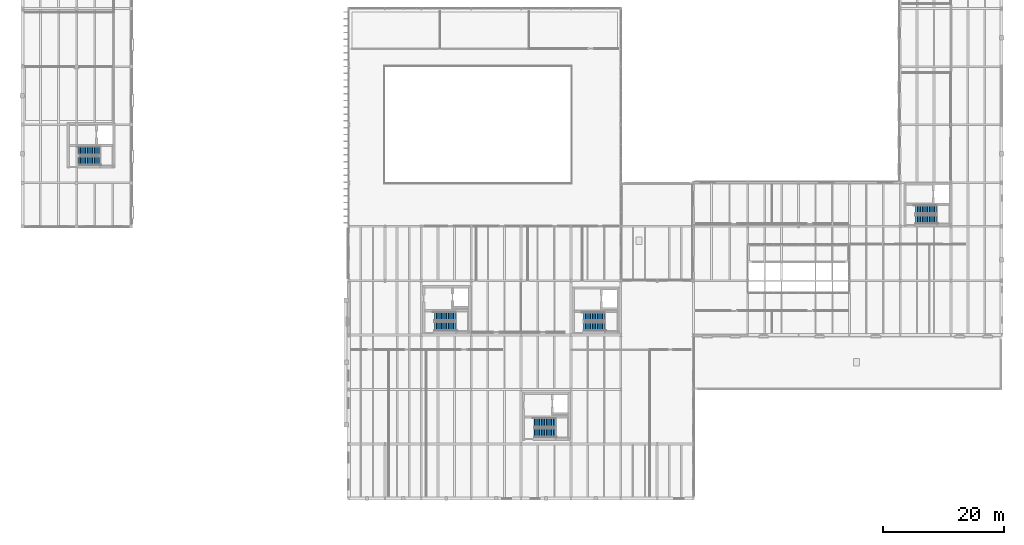
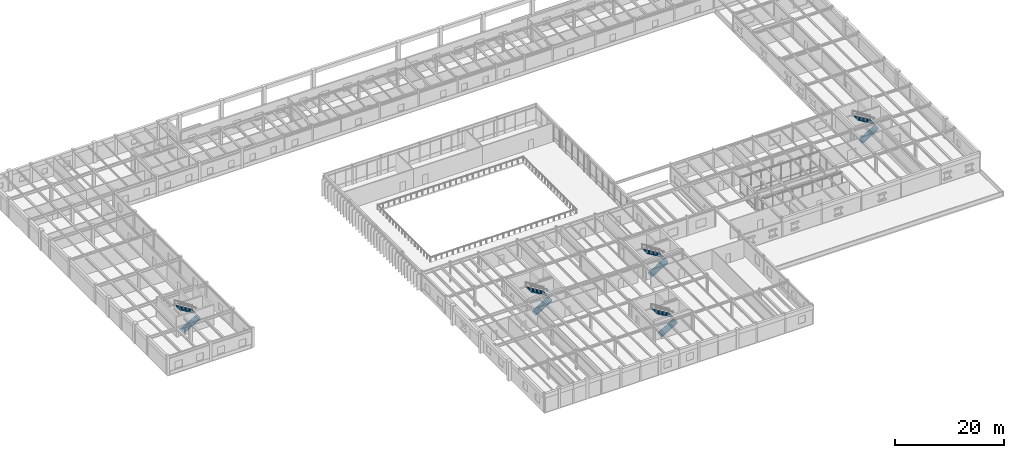
# One storey, part 54 of 64: 10 stair flights, 5 elements without a shape of their own.
"""IFC4 building model written with IfcOpenShell, lengths in metres."""

from ifc_helpers import new_model, si_unit, direction, frame, origin, place, context, subcontext, project, spatial, polyline, outline, extrude, material, type_object, element, aggregate, save


model = new_model("IFC4")

# Units and contexts
model_context = context("Model", 3, precision=1e-05, world=origin(), true_north=direction((0.0, 1.0)))
body_context = subcontext(model_context, "Body", "Model", "MODEL_VIEW")
ifc_project = project(units=[si_unit("LENGTHUNIT", "METRE"), si_unit("AREAUNIT", "SQUARE_METRE"), si_unit("VOLUMEUNIT", "CUBIC_METRE"), si_unit("PLANEANGLEUNIT", "RADIAN"), si_unit("MASSUNIT", "GRAM", prefix="KILO")], contexts=[model_context])

# Site, building, storey
site_placement = place(None, origin())
site = spatial("IfcSite", under=ifc_project, at=site_placement, CompositionType="ELEMENT")
building_placement = place(site_placement, origin())
building = spatial("IfcBuilding", under=site, at=building_placement, Name="Montealbar Specialist Clinic", CompositionType="ELEMENT")
storey_placement = place(building_placement, frame((0.0, 0.0, 5.10009765625)))
storey = spatial("IfcBuildingStorey", under=building, at=storey_placement, Name="L01", CompositionType="ELEMENT", Elevation=5.10009765625)

# Stair, stair flights
ifc_material = material(Name="Concrete C35/45", Category="concrete")
stair_type_1 = type_object("IfcStairType", Name="STAIR-HT-03", PredefinedType="HALF_TURN_STAIR", material=ifc_material)
stair_1_placement = place(storey_placement, origin())
stair_1 = element("IfcStair", 1, at=stair_1_placement, inside=storey, type_object=stair_type_1, Name="L01 Protected Exit Stair Core C1", PredefinedType="HALF_TURN_STAIR")
stair_flight_type_1 = type_object("IfcStairFlightType", Name="FLIGHT-HT-03", PredefinedType="STRAIGHT", material=ifc_material)
stair_flight_1_placement = place(storey_placement, frame((9.35009765625, 55.824951171875, 0.0), z_axis=(0.0, 0.0, 1.0), x_axis=(1.0, 0.0, 0.0)))
stair_flight_1 = element("IfcStairFlight", 2, at=stair_flight_1_placement, type_object=stair_flight_type_1, Name="ST-01 flight 1", NumberOfRisers=13, NumberOfTreads=12, PredefinedType="STRAIGHT", RiserHeight=0.173076923, TreadLength=0.285, context=body_context, shape_type="SweptSolid", body=[
    extrude(outline(polyline([(-0.02490234375, 0.0), (-0.02490234375, 0.0400390625), (0.0, 0.0400390625), (0.0, 0.173095703125), (0.284912109375, 0.173095703125), (0.284912109375, 0.34619140625), (0.570068359375, 0.34619140625), (0.570068359375, 0.519287109375), (0.85498046875, 0.519287109375), (0.85498046875, 0.6923828125), (1.139892578125, 0.6923828125), (1.139892578125, 0.865478515625), (1.425048828125, 0.865478515625), (1.425048828125, 1.03857421875), (1.7099609375, 1.03857421875), (1.7099609375, 1.21142578125), (1.9951171875, 1.21142578125), (1.9951171875, 1.384521484375), (2.280029296875, 1.384521484375), (2.280029296875, 1.5576171875), (2.56494140625, 1.5576171875), (2.56494140625, 1.730712890625), (2.85009765625, 1.730712890625), (2.85009765625, 1.90380859375), (3.135009765625, 1.90380859375), (3.135009765625, 2.076904296875), (3.419921875, 2.076904296875), (3.419921875, 2.25), (3.445068359375, 2.25), (3.445068359375, 1.901611328125), (3.419921875, 1.901611328125), (0.288818359375, 0.0), (-0.02490234375, 0.0)])), frame((0.0, 0.72509765625, 0.0), z_axis=(0.0, -1.0, 0.0), x_axis=(1.0, 0.0, 0.0)), (0.0, 0.0, 1.0), 1.449951171875),
])
stair_flight_2_placement = place(storey_placement, frame((12.77001953125, 57.47509765625, 2.25), z_axis=(0.0, 0.0, 1.0), x_axis=(-1.0, 0.0, 0.0)))
stair_flight_2 = element("IfcStairFlight", 3, at=stair_flight_2_placement, type_object=stair_flight_type_1, Name="ST-01 flight 2", NumberOfRisers=13, NumberOfTreads=12, PredefinedType="STRAIGHT", RiserHeight=0.173076923, TreadLength=0.285, context=body_context, shape_type="SweptSolid", body=[
    extrude(outline(polyline([(-0.02490234375, 0.0), (-0.02490234375, 0.0400390625), (0.0, 0.0400390625), (0.0, 0.173095703125), (0.284912109375, 0.173095703125), (0.284912109375, 0.34619140625), (0.570068359375, 0.34619140625), (0.570068359375, 0.519287109375), (0.85498046875, 0.519287109375), (0.85498046875, 0.6923828125), (1.139892578125, 0.6923828125), (1.139892578125, 0.865478515625), (1.425048828125, 0.865478515625), (1.425048828125, 1.03857421875), (1.7099609375, 1.03857421875), (1.7099609375, 1.21142578125), (1.9951171875, 1.21142578125), (1.9951171875, 1.384521484375), (2.280029296875, 1.384521484375), (2.280029296875, 1.5576171875), (2.56494140625, 1.5576171875), (2.56494140625, 1.730712890625), (2.85009765625, 1.730712890625), (2.85009765625, 1.90380859375), (3.135009765625, 1.90380859375), (3.135009765625, 2.076904296875), (3.419921875, 2.076904296875), (3.419921875, 2.25), (3.445068359375, 2.25), (3.445068359375, 1.901611328125), (3.419921875, 1.901611328125), (0.288818359375, 0.0), (-0.02490234375, 0.0)])), frame((0.0, 0.72509765625, 0.0), z_axis=(0.0, -1.0, 0.0), x_axis=(1.0, 0.0, 0.0)), (0.0, 0.0, 1.0), 1.449951171875),
])
aggregate(stair_1, [stair_flight_1, stair_flight_2])

stair_2_placement = place(storey_placement, origin())
stair_2 = element("IfcStair", 4, at=stair_2_placement, inside=storey, type_object=stair_type_1, Name="L01 Protected Exit Stair Core C5", PredefinedType="HALF_TURN_STAIR")
stair_flight_3_placement = place(storey_placement, frame((92.85009765625, 28.425048828125, 0.0), z_axis=(0.0, 0.0, 1.0), x_axis=(1.0, 0.0, 0.0)))
stair_flight_3 = element("IfcStairFlight", 5, at=stair_flight_3_placement, type_object=stair_flight_type_1, Name="ST-05 flight 1", NumberOfRisers=13, NumberOfTreads=12, PredefinedType="STRAIGHT", RiserHeight=0.173076923, TreadLength=0.285, context=body_context, shape_type="SweptSolid", body=[
    extrude(outline(polyline([(-0.02490234375, 0.0), (-0.02490234375, 0.0400390625), (0.0, 0.0400390625), (0.0, 0.173095703125), (0.284912109375, 0.173095703125), (0.284912109375, 0.34619140625), (0.570068359375, 0.34619140625), (0.570068359375, 0.519287109375), (0.85498046875, 0.519287109375), (0.85498046875, 0.6923828125), (1.139892578125, 0.6923828125), (1.139892578125, 0.865478515625), (1.425048828125, 0.865478515625), (1.425048828125, 1.03857421875), (1.7099609375, 1.03857421875), (1.7099609375, 1.21142578125), (1.9951171875, 1.21142578125), (1.9951171875, 1.384521484375), (2.280029296875, 1.384521484375), (2.280029296875, 1.5576171875), (2.56494140625, 1.5576171875), (2.56494140625, 1.730712890625), (2.85009765625, 1.730712890625), (2.85009765625, 1.90380859375), (3.135009765625, 1.90380859375), (3.135009765625, 2.076904296875), (3.419921875, 2.076904296875), (3.419921875, 2.25), (3.445068359375, 2.25), (3.445068359375, 1.901611328125), (3.419921875, 1.901611328125), (0.288818359375, 0.0), (-0.02490234375, 0.0)])), frame((0.0, 0.72509765625, 0.0), z_axis=(0.0, -1.0, 0.0), x_axis=(1.0, 0.0, 0.0)), (0.0, 0.0, 1.0), 1.449951171875),
])
stair_flight_4_placement = place(storey_placement, frame((96.27001953125, 30.074951171875, 2.25), z_axis=(0.0, 0.0, 1.0), x_axis=(-1.0, 0.0, 0.0)))
stair_flight_4 = element("IfcStairFlight", 6, at=stair_flight_4_placement, type_object=stair_flight_type_1, Name="ST-05 flight 2", NumberOfRisers=13, NumberOfTreads=12, PredefinedType="STRAIGHT", RiserHeight=0.173076923, TreadLength=0.285, context=body_context, shape_type="SweptSolid", body=[
    extrude(outline(polyline([(-0.02490234375, 0.0), (-0.02490234375, 0.0400390625), (0.0, 0.0400390625), (0.0, 0.173095703125), (0.284912109375, 0.173095703125), (0.284912109375, 0.34619140625), (0.570068359375, 0.34619140625), (0.570068359375, 0.519287109375), (0.85498046875, 0.519287109375), (0.85498046875, 0.6923828125), (1.139892578125, 0.6923828125), (1.139892578125, 0.865478515625), (1.425048828125, 0.865478515625), (1.425048828125, 1.03857421875), (1.7099609375, 1.03857421875), (1.7099609375, 1.21142578125), (1.9951171875, 1.21142578125), (1.9951171875, 1.384521484375), (2.280029296875, 1.384521484375), (2.280029296875, 1.5576171875), (2.56494140625, 1.5576171875), (2.56494140625, 1.730712890625), (2.85009765625, 1.730712890625), (2.85009765625, 1.90380859375), (3.135009765625, 1.90380859375), (3.135009765625, 2.076904296875), (3.419921875, 2.076904296875), (3.419921875, 2.25), (3.445068359375, 2.25), (3.445068359375, 1.901611328125), (3.419921875, 1.901611328125), (0.288818359375, 0.0), (-0.02490234375, 0.0)])), frame((0.0, 0.72509765625, 0.0), z_axis=(0.0, -1.0, 0.0), x_axis=(1.0, 0.0, 0.0)), (0.0, 0.0, 1.0), 1.449951171875),
])
aggregate(stair_2, [stair_flight_3, stair_flight_4])

stair_3_placement = place(storey_placement, origin())
stair_3 = element("IfcStair", 7, at=stair_3_placement, inside=storey, type_object=stair_type_1, Name="L01 Protected Exit Stair Core C6", PredefinedType="HALF_TURN_STAIR")
stair_flight_5_placement = place(storey_placement, frame((147.75, 46.125, 0.0), z_axis=(0.0, 0.0, 1.0), x_axis=(1.0, 0.0, 0.0)))
stair_flight_5 = element("IfcStairFlight", 8, at=stair_flight_5_placement, type_object=stair_flight_type_1, Name="ST-06 flight 1", NumberOfRisers=13, NumberOfTreads=12, PredefinedType="STRAIGHT", RiserHeight=0.173076923, TreadLength=0.285, context=body_context, shape_type="SweptSolid", body=[
    extrude(outline(polyline([(-0.02490234375, 0.0), (-0.02490234375, 0.0400390625), (0.0, 0.0400390625), (0.0, 0.173095703125), (0.284912109375, 0.173095703125), (0.284912109375, 0.34619140625), (0.570068359375, 0.34619140625), (0.570068359375, 0.519287109375), (0.85498046875, 0.519287109375), (0.85498046875, 0.6923828125), (1.139892578125, 0.6923828125), (1.139892578125, 0.865478515625), (1.425048828125, 0.865478515625), (1.425048828125, 1.03857421875), (1.7099609375, 1.03857421875), (1.7099609375, 1.21142578125), (1.9951171875, 1.21142578125), (1.9951171875, 1.384521484375), (2.280029296875, 1.384521484375), (2.280029296875, 1.5576171875), (2.56494140625, 1.5576171875), (2.56494140625, 1.730712890625), (2.85009765625, 1.730712890625), (2.85009765625, 1.90380859375), (3.135009765625, 1.90380859375), (3.135009765625, 2.076904296875), (3.419921875, 2.076904296875), (3.419921875, 2.25), (3.445068359375, 2.25), (3.445068359375, 1.901611328125), (3.419921875, 1.901611328125), (0.288818359375, 0.0), (-0.02490234375, 0.0)])), frame((0.0, 0.72509765625, 0.0), z_axis=(0.0, -1.0, 0.0), x_axis=(1.0, 0.0, 0.0)), (0.0, 0.0, 1.0), 1.449951171875),
])
stair_flight_6_placement = place(storey_placement, frame((151.169921875, 47.77490234375, 2.25), z_axis=(0.0, 0.0, 1.0), x_axis=(-1.0, 0.0, 0.0)))
stair_flight_6 = element("IfcStairFlight", 9, at=stair_flight_6_placement, type_object=stair_flight_type_1, Name="ST-06 flight 2", NumberOfRisers=13, NumberOfTreads=12, PredefinedType="STRAIGHT", RiserHeight=0.173076923, TreadLength=0.285, context=body_context, shape_type="SweptSolid", body=[
    extrude(outline(polyline([(-0.02490234375, 0.0), (-0.02490234375, 0.0400390625), (0.0, 0.0400390625), (0.0, 0.173095703125), (0.284912109375, 0.173095703125), (0.284912109375, 0.34619140625), (0.570068359375, 0.34619140625), (0.570068359375, 0.519287109375), (0.85498046875, 0.519287109375), (0.85498046875, 0.6923828125), (1.139892578125, 0.6923828125), (1.139892578125, 0.865478515625), (1.425048828125, 0.865478515625), (1.425048828125, 1.03857421875), (1.7099609375, 1.03857421875), (1.7099609375, 1.21142578125), (1.9951171875, 1.21142578125), (1.9951171875, 1.384521484375), (2.280029296875, 1.384521484375), (2.280029296875, 1.5576171875), (2.56494140625, 1.5576171875), (2.56494140625, 1.730712890625), (2.85009765625, 1.730712890625), (2.85009765625, 1.90380859375), (3.135009765625, 1.90380859375), (3.135009765625, 2.076904296875), (3.419921875, 2.076904296875), (3.419921875, 2.25), (3.445068359375, 2.25), (3.445068359375, 1.901611328125), (3.419921875, 1.901611328125), (0.288818359375, 0.0), (-0.02490234375, 0.0)])), frame((0.0, 0.72509765625, 0.0), z_axis=(0.0, -1.0, 0.0), x_axis=(1.0, 0.0, 0.0)), (0.0, 0.0, 1.0), 1.449951171875),
])
aggregate(stair_3, [stair_flight_5, stair_flight_6])

stair_type_2 = type_object("IfcStairType", Name="STAIR-HT-06", PredefinedType="HALF_TURN_STAIR", material=ifc_material)
stair_4_placement = place(storey_placement, origin())
stair_4 = element("IfcStair", 10, at=stair_4_placement, inside=storey, type_object=stair_type_2, Name="L01 Protected Exit Stair Core C3", PredefinedType="HALF_TURN_STAIR")
stair_flight_type_2 = type_object("IfcStairFlightType", Name="FLIGHT-HT-06", PredefinedType="STRAIGHT", material=ifc_material)
stair_flight_7_placement = place(storey_placement, frame((68.199951171875, 28.449951171875, 0.0), z_axis=(0.0, 0.0, 1.0), x_axis=(1.0, 0.0, 0.0)))
stair_flight_7 = element("IfcStairFlight", 11, at=stair_flight_7_placement, type_object=stair_flight_type_2, Name="ST-03 flight 1", NumberOfRisers=13, NumberOfTreads=12, PredefinedType="STRAIGHT", RiserHeight=0.173076923, TreadLength=0.285, context=body_context, shape_type="SweptSolid", body=[
    extrude(outline(polyline([(-0.02490234375, 0.0), (-0.02490234375, 0.0400390625), (0.0, 0.0400390625), (0.0, 0.173095703125), (0.284912109375, 0.173095703125), (0.284912109375, 0.34619140625), (0.570068359375, 0.34619140625), (0.570068359375, 0.519287109375), (0.85498046875, 0.519287109375), (0.85498046875, 0.6923828125), (1.139892578125, 0.6923828125), (1.139892578125, 0.865478515625), (1.425048828125, 0.865478515625), (1.425048828125, 1.03857421875), (1.7099609375, 1.03857421875), (1.7099609375, 1.21142578125), (1.9951171875, 1.21142578125), (1.9951171875, 1.384521484375), (2.280029296875, 1.384521484375), (2.280029296875, 1.5576171875), (2.56494140625, 1.5576171875), (2.56494140625, 1.730712890625), (2.85009765625, 1.730712890625), (2.85009765625, 1.90380859375), (3.135009765625, 1.90380859375), (3.135009765625, 2.076904296875), (3.419921875, 2.076904296875), (3.419921875, 2.25), (3.445068359375, 2.25), (3.445068359375, 1.901611328125), (3.419921875, 1.901611328125), (0.288818359375, 0.0), (-0.02490234375, 0.0)])), frame((0.0, 0.75, 0.0), z_axis=(0.0, -1.0, 0.0), x_axis=(1.0, 0.0, 0.0)), (0.0, 0.0, 1.0), 1.5),
])
stair_flight_8_placement = place(storey_placement, frame((71.6201171875, 30.14990234375, 2.25), z_axis=(0.0, 0.0, 1.0), x_axis=(-1.0, 0.0, 0.0)))
stair_flight_8 = element("IfcStairFlight", 12, at=stair_flight_8_placement, type_object=stair_flight_type_2, Name="ST-03 flight 2", NumberOfRisers=13, NumberOfTreads=12, PredefinedType="STRAIGHT", RiserHeight=0.173076923, TreadLength=0.285, context=body_context, shape_type="SweptSolid", body=[
    extrude(outline(polyline([(-0.02490234375, 0.0), (-0.02490234375, 0.0400390625), (0.0, 0.0400390625), (0.0, 0.173095703125), (0.284912109375, 0.173095703125), (0.284912109375, 0.34619140625), (0.570068359375, 0.34619140625), (0.570068359375, 0.519287109375), (0.85498046875, 0.519287109375), (0.85498046875, 0.6923828125), (1.139892578125, 0.6923828125), (1.139892578125, 0.865478515625), (1.425048828125, 0.865478515625), (1.425048828125, 1.03857421875), (1.7099609375, 1.03857421875), (1.7099609375, 1.21142578125), (1.9951171875, 1.21142578125), (1.9951171875, 1.384521484375), (2.280029296875, 1.384521484375), (2.280029296875, 1.5576171875), (2.56494140625, 1.5576171875), (2.56494140625, 1.730712890625), (2.85009765625, 1.730712890625), (2.85009765625, 1.90380859375), (3.135009765625, 1.90380859375), (3.135009765625, 2.076904296875), (3.419921875, 2.076904296875), (3.419921875, 2.25), (3.445068359375, 2.25), (3.445068359375, 1.901611328125), (3.419921875, 1.901611328125), (0.288818359375, 0.0), (-0.02490234375, 0.0)])), frame((0.0, 0.75, 0.0), z_axis=(0.0, -1.0, 0.0), x_axis=(1.0, 0.0, 0.0)), (0.0, 0.0, 1.0), 1.5),
])
aggregate(stair_4, [stair_flight_7, stair_flight_8])

stair_5_placement = place(storey_placement, origin())
stair_5 = element("IfcStair", 13, at=stair_5_placement, inside=storey, type_object=stair_type_2, Name="L01 Protected Exit Stair Core C4", PredefinedType="HALF_TURN_STAIR")
stair_flight_9_placement = place(storey_placement, frame((84.699951171875, 10.85009765625, 0.0), z_axis=(0.0, 0.0, 1.0), x_axis=(1.0, 0.0, 0.0)))
stair_flight_9 = element("IfcStairFlight", 14, at=stair_flight_9_placement, type_object=stair_flight_type_2, Name="ST-04 flight 1", NumberOfRisers=13, NumberOfTreads=12, PredefinedType="STRAIGHT", RiserHeight=0.173076923, TreadLength=0.285, context=body_context, shape_type="SweptSolid", body=[
    extrude(outline(polyline([(-0.02490234375, 0.0), (-0.02490234375, 0.0400390625), (0.0, 0.0400390625), (0.0, 0.173095703125), (0.284912109375, 0.173095703125), (0.284912109375, 0.34619140625), (0.570068359375, 0.34619140625), (0.570068359375, 0.519287109375), (0.85498046875, 0.519287109375), (0.85498046875, 0.6923828125), (1.139892578125, 0.6923828125), (1.139892578125, 0.865478515625), (1.425048828125, 0.865478515625), (1.425048828125, 1.03857421875), (1.7099609375, 1.03857421875), (1.7099609375, 1.21142578125), (1.9951171875, 1.21142578125), (1.9951171875, 1.384521484375), (2.280029296875, 1.384521484375), (2.280029296875, 1.5576171875), (2.56494140625, 1.5576171875), (2.56494140625, 1.730712890625), (2.85009765625, 1.730712890625), (2.85009765625, 1.90380859375), (3.135009765625, 1.90380859375), (3.135009765625, 2.076904296875), (3.419921875, 2.076904296875), (3.419921875, 2.25), (3.445068359375, 2.25), (3.445068359375, 1.901611328125), (3.419921875, 1.901611328125), (0.288818359375, 0.0), (-0.02490234375, 0.0)])), frame((0.0, 0.75, 0.0), z_axis=(0.0, -1.0, 0.0), x_axis=(1.0, 0.0, 0.0)), (0.0, 0.0, 1.0), 1.5),
])
stair_flight_10_placement = place(storey_placement, frame((88.1201171875, 12.550048828125, 2.25), z_axis=(0.0, 0.0, 1.0), x_axis=(-1.0, 0.0, 0.0)))
stair_flight_10 = element("IfcStairFlight", 15, at=stair_flight_10_placement, type_object=stair_flight_type_2, Name="ST-04 flight 2", NumberOfRisers=13, NumberOfTreads=12, PredefinedType="STRAIGHT", RiserHeight=0.173076923, TreadLength=0.285, context=body_context, shape_type="SweptSolid", body=[
    extrude(outline(polyline([(-0.02490234375, 0.0), (-0.02490234375, 0.0400390625), (0.0, 0.0400390625), (0.0, 0.173095703125), (0.284912109375, 0.173095703125), (0.284912109375, 0.34619140625), (0.570068359375, 0.34619140625), (0.570068359375, 0.519287109375), (0.85498046875, 0.519287109375), (0.85498046875, 0.6923828125), (1.139892578125, 0.6923828125), (1.139892578125, 0.865478515625), (1.425048828125, 0.865478515625), (1.425048828125, 1.03857421875), (1.7099609375, 1.03857421875), (1.7099609375, 1.21142578125), (1.9951171875, 1.21142578125), (1.9951171875, 1.384521484375), (2.280029296875, 1.384521484375), (2.280029296875, 1.5576171875), (2.56494140625, 1.5576171875), (2.56494140625, 1.730712890625), (2.85009765625, 1.730712890625), (2.85009765625, 1.90380859375), (3.135009765625, 1.90380859375), (3.135009765625, 2.076904296875), (3.419921875, 2.076904296875), (3.419921875, 2.25), (3.445068359375, 2.25), (3.445068359375, 1.901611328125), (3.419921875, 1.901611328125), (0.288818359375, 0.0), (-0.02490234375, 0.0)])), frame((0.0, 0.75, 0.0), z_axis=(0.0, -1.0, 0.0), x_axis=(1.0, 0.0, 0.0)), (0.0, 0.0, 1.0), 1.5),
])
aggregate(stair_5, [stair_flight_9, stair_flight_10])

save(model, "model.ifc")
